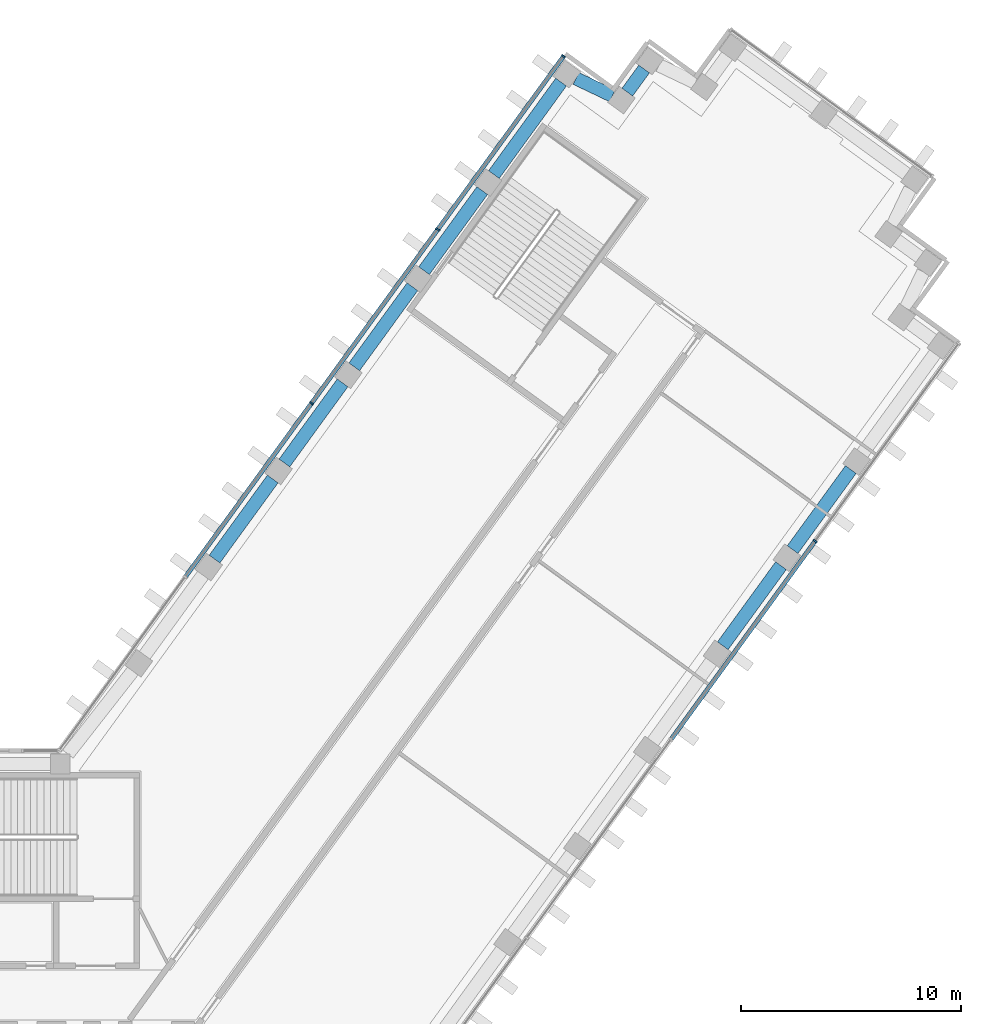
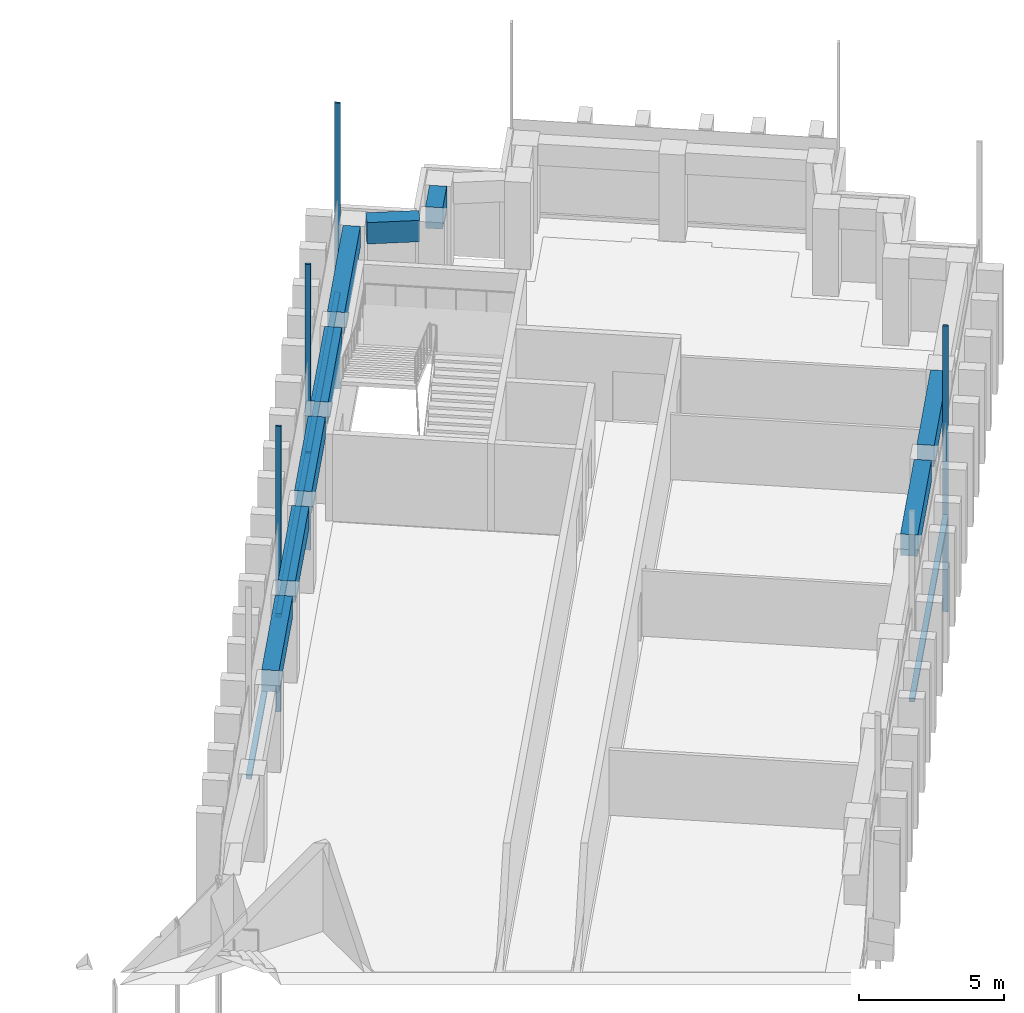
# One storey, part 6 of 18: 9 beams, 8 members, 2 elements without a shape of their own.
"""IFC4 building model written with IfcOpenShell, lengths in metres."""

from ifc_helpers import new_model, si_unit, direction, frame, origin, origin_2d, place, context, subcontext, project, spatial, rectangle, extrude, material, material_profile, profile_set, type_object, element, aggregate, save


model = new_model("IFC4")

# Units and contexts
model_context = context("Model", 3, precision=1e-05, world=origin(), true_north=direction((0.0, 1.0)))
body_context = subcontext(model_context, "Body", "Model", "MODEL_VIEW")
ifc_project = project(units=[si_unit("LENGTHUNIT", "METRE"), si_unit("AREAUNIT", "SQUARE_METRE"), si_unit("VOLUMEUNIT", "CUBIC_METRE"), si_unit("PLANEANGLEUNIT", "RADIAN"), si_unit("MASSUNIT", "GRAM", prefix="KILO")], contexts=[model_context])

# Site, building, storey
site_placement = place(None, origin())
site = spatial("IfcSite", under=ifc_project, at=site_placement, CompositionType="ELEMENT")
building_placement = place(site_placement, origin())
building = spatial("IfcBuilding", under=site, at=building_placement, Name="Quipu Civic Tower", CompositionType="ELEMENT")
storey_placement = place(building_placement, frame((0.0, 0.0, 59.0)))
storey = spatial("IfcBuildingStorey", under=building, at=storey_placement, Name="L13", CompositionType="ELEMENT", Elevation=59.0)

# Curtain wall, member
ifc_material_1 = material(Name="Insulated glass unit", Category="glass")
curtain_wall_type = type_object("IfcCurtainWallType", Name="Office curtain wall CW1", PredefinedType="NOTDEFINED", material=ifc_material_1)
curtain_wall_1_placement = place(storey_placement, origin())
curtain_wall_1 = element("IfcCurtainWall", 1, at=curtain_wall_1_placement, inside=storey, type_object=curtain_wall_type, Name="Office curtain wall CW1 L12 run 26", PredefinedType="NOTDEFINED")
ifc_material_2 = material(Name="Anodised aluminium", Category="aluminium")
ifc_material_profile_1 = material_profile(ifc_material_2, rectangle(XDim=0.199951171875, YDim=0.080078125, at=origin_2d()), Name="RECT 200x80")
ifc_profile_set_1 = profile_set([ifc_material_profile_1], Name="Anodised aluminium")
member_type_1 = type_object("IfcMemberType", Name="Mullion CW1", PredefinedType="MULLION", material=ifc_profile_set_1)
member_1_placement = place(storey_placement, frame((48.70458984375, 20.6240234375, -3.919921875), z_axis=(0.0, 0.0, 1.0), x_axis=(-0.809016770908, 0.587785559869, 0.0)))
member_1 = element("IfcMember", 2, at=member_1_placement, type_object=member_type_1, Name="CW1 mullion 4", PredefinedType="MULLION", context=body_context, shape_type="SweptSolid", body=[
    extrude(rectangle(XDim=0.199951171875, YDim=0.080078125, at=origin_2d()), origin(), (0.0, 0.0, 1.0), 12.0),
])

# Curtain wall, members
curtain_wall_2_placement = place(storey_placement, origin())
curtain_wall_2 = element("IfcCurtainWall", 3, at=curtain_wall_2_placement, inside=storey, type_object=curtain_wall_type, Name="Office curtain wall CW1 L12 run 36", PredefinedType="NOTDEFINED")
member_2_placement = place(storey_placement, frame((37.2705078125, 42.655029296875, -3.919921875), z_axis=(0.0, 0.0, 1.0), x_axis=(0.809016532822, -0.587785887566, 0.0)))
member_2 = element("IfcMember", 4, at=member_2_placement, type_object=member_type_1, Name="CW1 mullion 1", PredefinedType="MULLION", context=body_context, shape_type="SweptSolid", body=[
    extrude(rectangle(XDim=0.199951171875, YDim=0.080078125, at=origin_2d()), origin(), (0.0, 0.0, 1.0), 12.0),
])
member_3_placement = place(storey_placement, frame((31.556396484375, 34.79052734375, -3.919921875), z_axis=(0.0, 0.0, 1.0), x_axis=(0.809016532822, -0.587785887566, 0.0)))
member_3 = element("IfcMember", 5, at=member_3_placement, type_object=member_type_1, Name="CW1 mullion 2", PredefinedType="MULLION", context=body_context, shape_type="SweptSolid", body=[
    extrude(rectangle(XDim=0.199951171875, YDim=0.080078125, at=origin_2d()), origin(), (0.0, 0.0, 1.0), 12.0),
])
member_4_placement = place(storey_placement, frame((25.819091796875, 26.893798828125, -3.919921875), z_axis=(0.0, 0.0, 1.0), x_axis=(0.809016532822, -0.587785887566, 0.0)))
member_4 = element("IfcMember", 6, at=member_4_placement, type_object=member_type_1, Name="CW1 mullion 3", PredefinedType="MULLION", context=body_context, shape_type="SweptSolid", body=[
    extrude(rectangle(XDim=0.199951171875, YDim=0.080078125, at=origin_2d()), origin(), (0.0, 0.0, 1.0), 12.0),
])

# Beams
ifc_material_3 = material(Name="Concrete C50/60", Category="concrete")
ifc_material_profile_2 = material_profile(ifc_material_3, rectangle(XDim=0.60009765625, YDim=0.89990234375, at=origin_2d()), Name="RC600x900")
ifc_profile_set_2 = profile_set([ifc_material_profile_2], Name="Concrete C50/60")
beam_type = type_object("IfcBeamType", Name="Spandrel beam RC 600x900 C50/60", PredefinedType="SPANDREL", material=ifc_profile_set_2)
beam_1_placement = place(storey_placement, frame((44.5087890625, 15.870361328125, 3.199951171875), z_axis=(0.587803872688, 0.809003465539, 0.0), x_axis=(-0.809003465539, 0.587803872688, 0.0)))
element("IfcBeam", 7, at=beam_1_placement, inside=storey, type_object=beam_type, Name="Spandrel beam L13 E-OUT-05 to E-OUT-06", PredefinedType="SPANDREL", context=body_context, shape_type="SweptSolid", body=[
    extrude(rectangle(XDim=0.60009765625, YDim=0.89990234375, at=origin_2d()), origin(), (0.0, 0.0, 1.0), 4.499755859375),
])
beam_2_placement = place(storey_placement, frame((47.682861328125, 20.23876953125, 3.199951171875), z_axis=(0.587778073121, 0.809022210299, 0.0), x_axis=(-0.809022210299, 0.587778073121, 0.0)))
element("IfcBeam", 8, at=beam_2_placement, inside=storey, type_object=beam_type, Name="Spandrel beam L13 E-OUT-06 to E-OUT-07", PredefinedType="SPANDREL", context=body_context, shape_type="SweptSolid", body=[
    extrude(rectangle(XDim=0.60009765625, YDim=0.89990234375, at=origin_2d()), origin(), (0.0, 0.0, 1.0), 4.5),
])
beam_3_placement = place(storey_placement, frame((40.935302734375, 42.0810546875, 3.199951171875), z_axis=(-0.588461937499, -0.808524921146, 0.0), x_axis=(0.808524921146, -0.588461937499, 0.0)))
element("IfcBeam", 9, at=beam_3_placement, inside=storey, type_object=beam_type, Name="Spandrel beam L13 T-Ei.2-E50 to T-Ei.3-E50", PredefinedType="SPANDREL", context=body_context, shape_type="SweptSolid", body=[
    extrude(rectangle(XDim=0.60009765625, YDim=0.89990234375, at=origin_2d()), origin(), (0.0, 0.0, 1.0), 1.30029296875),
])
beam_4_placement = place(storey_placement, frame((39.492431640625, 40.863037109375, 3.199951171875), z_axis=(-0.90245397739, 0.430786279601, 0.0), x_axis=(-0.430786279601, -0.90245397739, 0.0)))
element("IfcBeam", 10, at=beam_4_placement, inside=storey, type_object=beam_type, Name="Spandrel beam L13 T-Ei.3-E50 to T-Ei.4-E50", PredefinedType="SPANDREL", context=body_context, shape_type="SweptSolid", body=[
    extrude(rectangle(XDim=0.60009765625, YDim=0.89990234375, at=origin_2d()), origin(), (0.0, 0.0, 1.0), 1.83349609375),
])
beam_5_placement = place(storey_placement, frame((37.160400390625, 41.48583984375, 3.199951171875), z_axis=(-0.587732861365, -0.80905505602, 0.0), x_axis=(0.80905505602, -0.587732861365, 0.0)))
element("IfcBeam", 11, at=beam_5_placement, inside=storey, type_object=beam_type, Name="Spandrel beam L13 T-Ei.4-E50 to E-IN-06", PredefinedType="SPANDREL", context=body_context, shape_type="SweptSolid", body=[
    extrude(rectangle(XDim=0.60009765625, YDim=0.89990234375, at=origin_2d()), origin(), (0.0, 0.0, 1.0), 5.194580078125),
])
for number, where, z_axis, x_axis, name in (
    (12, (33.578369140625, 36.55517578125, 3.199951171875), (-0.587716763865, -0.809066749701, 0.0), (0.809066749701, -0.587716763865, 0.0), "Spandrel beam L13 E-IN-06 to E-IN-05"),
    (13, (30.404541015625, 32.186279296875, 3.199951171875), (-0.587742561851, -0.809048009076, 0.0), (0.809048009076, -0.587742561851, 0.0), "Spandrel beam L13 E-IN-05 to E-IN-04"),
    (14, (27.230712890625, 27.8173828125, 3.199951171875), (-0.587778073121, -0.809022210299, 0.0), (0.809022210299, -0.587778073121, 0.0), "Spandrel beam L13 E-IN-04 to E-IN-03"),
    (15, (24.056884765625, 23.448486328125, 3.199951171875), (-0.587778073121, -0.809022210299, 0.0), (0.809022210299, -0.587778073121, 0.0), "Spandrel beam L13 E-IN-03 to E-IN-02"),
):
    element("IfcBeam", number, at=place(storey_placement, frame(where, z_axis=z_axis, x_axis=x_axis)), inside=storey, type_object=beam_type, Name=name, PredefinedType="SPANDREL", context=body_context, shape_type="SweptSolid", body=[
        extrude(rectangle(XDim=0.60009765625, YDim=0.89990234375, at=origin_2d()), origin(), (0.0, 0.0, 1.0), 4.5),
    ])

# Member
ifc_material_4 = material(Name="Anodised aluminium", Category="aluminium")
ifc_material_profile_3 = material_profile(ifc_material_4, rectangle(XDim=0.199951171875, YDim=0.159912109375, at=origin_2d()), Name="RECT 200x160")
ifc_profile_set_3 = profile_set([ifc_material_profile_3], Name="Anodised aluminium")
member_type_2 = type_object("IfcMemberType", Name="Transom CW1", PredefinedType="USERDEFINED", material=ifc_profile_set_3)
member_5_placement = place(storey_placement, frame((42.178466796875, 11.6416015625, 0.080078125), z_axis=(0.587795037589, 0.80900988485, 0.0), x_axis=(-0.80900988485, 0.587795037589, 0.0)))
member_5 = element("IfcMember", 16, at=member_5_placement, type_object=member_type_2, Name="CW1 transom 3.2", ObjectType="TRANSOM", PredefinedType="USERDEFINED", context=body_context, shape_type="SweptSolid", body=[
    extrude(rectangle(XDim=0.199951171875, YDim=0.159912109375, at=origin_2d()), origin(), (0.0, 0.0, 1.0), 11.062744140625),
])

aggregate(curtain_wall_1, [member_1, member_5])

member_6_placement = place(storey_placement, frame((37.246826171875, 42.622802734375, 0.080078125), z_axis=(-0.587775627857, -0.809023986849, 0.0), x_axis=(0.809023986849, -0.587775627857, 0.0)))
member_6 = element("IfcMember", 17, at=member_6_placement, type_object=member_type_2, Name="CW1 transom 1.2", ObjectType="TRANSOM", PredefinedType="USERDEFINED", context=body_context, shape_type="SweptSolid", body=[
    extrude(rectangle(XDim=0.199951171875, YDim=0.159912109375, at=origin_2d()), origin(), (0.0, 0.0, 1.0), 9.64111328125),
])

member_7_placement = place(storey_placement, frame((31.532958984375, 34.75830078125, 0.080078125), z_axis=(-0.58778177227, -0.809019522748, 0.0), x_axis=(0.809019522748, -0.58778177227, 0.0)))
member_7 = element("IfcMember", 18, at=member_7_placement, type_object=member_type_2, Name="CW1 transom 2.2", ObjectType="TRANSOM", PredefinedType="USERDEFINED", context=body_context, shape_type="SweptSolid", body=[
    extrude(rectangle(XDim=0.199951171875, YDim=0.159912109375, at=origin_2d()), origin(), (0.0, 0.0, 1.0), 9.68115234375),
])

member_8_placement = place(storey_placement, frame((25.795654296875, 26.861328125, 0.080078125), z_axis=(-0.587793764301, -0.80901080997, 0.0), x_axis=(0.80901080997, -0.587793764301, 0.0)))
member_8 = element("IfcMember", 19, at=member_8_placement, type_object=member_type_2, Name="CW1 transom 3.2", ObjectType="TRANSOM", PredefinedType="USERDEFINED", context=body_context, shape_type="SweptSolid", body=[
    extrude(rectangle(XDim=0.199951171875, YDim=0.159912109375, at=origin_2d()), origin(), (0.0, 0.0, 1.0), 9.680908203125),
])

aggregate(curtain_wall_2, [member_2, member_3, member_4, member_6, member_7, member_8])

save(model, "model.ifc")
